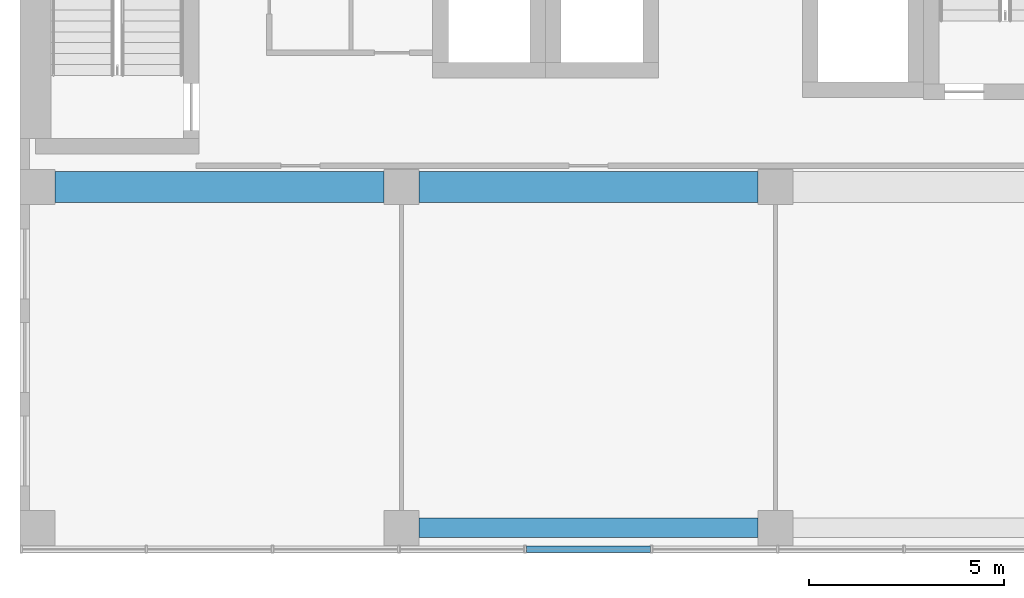
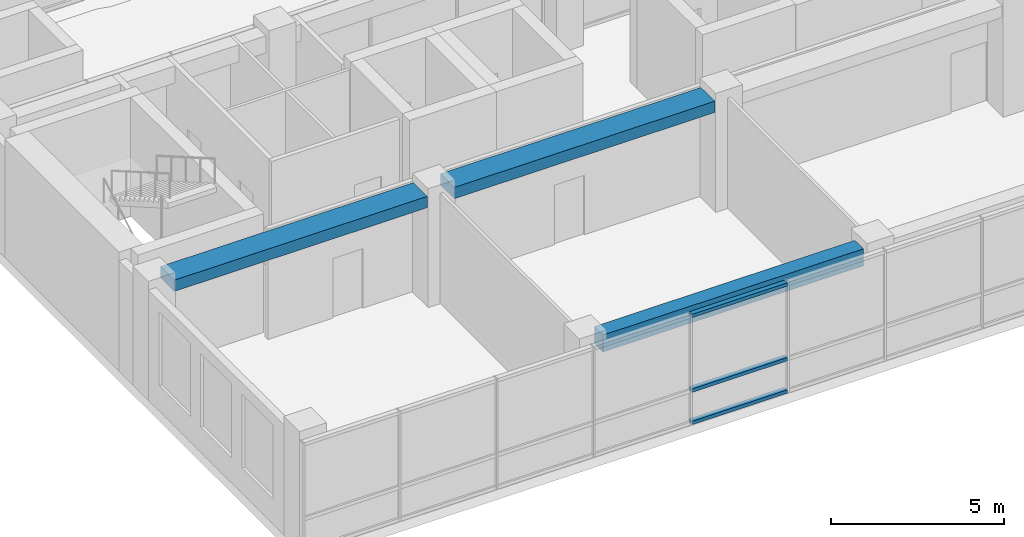
# One storey, part 3 of 72: 3 beams, 3 members, 1 element without a shape of its own.
"""IFC4 building model written with IfcOpenShell, lengths in metres."""

from ifc_helpers import new_model, si_unit, direction, frame, origin, origin_2d, place, context, subcontext, project, spatial, rectangle, hollow_rectangle, extrude, material, layer, layer_set, material_profile, profile_set, type_object, element, aggregate, save


model = new_model("IFC4")

# Units and contexts
model_context = context("Model", 3, precision=1e-05, world=origin(), true_north=direction((0.0, 1.0)))
body_context = subcontext(model_context, "Body", "Model", "MODEL_VIEW")
ifc_project = project(units=[si_unit("LENGTHUNIT", "METRE"), si_unit("AREAUNIT", "SQUARE_METRE"), si_unit("VOLUMEUNIT", "CUBIC_METRE"), si_unit("PLANEANGLEUNIT", "RADIAN"), si_unit("MASSUNIT", "GRAM", prefix="KILO")], contexts=[model_context])

# Site, building, storey
site_placement = place(None, origin())
site = spatial("IfcSite", under=ifc_project, at=site_placement, CompositionType="ELEMENT")
building_placement = place(site_placement, origin())
building = spatial("IfcBuilding", under=site, at=building_placement, Name="Nzadi Deep Aquarium and Research Tower", CompositionType="ELEMENT")
storey_placement = place(building_placement, frame((0.0, 0.0, 31.89990234375)))
storey = spatial("IfcBuildingStorey", under=building, at=storey_placement, Name="L05", CompositionType="ELEMENT", Elevation=31.89990234375)

# Beams
ifc_material_1 = material(Name="Concrete C35/45", Category="concrete")
ifc_material_profile_1 = material_profile(ifc_material_1, rectangle(XDim=0.5, YDim=0.60009765625, at=origin_2d()))
ifc_profile_set_1 = profile_set([ifc_material_profile_1], Name="Concrete C35/45")
beam_type_1 = type_object("IfcBeamType", Name="RC 500x600", PredefinedType="BEAM", material=ifc_profile_set_1)
beam_1_placement = place(storey_placement, frame((10.050048828125, 0.449951171875, 3.60009765625), z_axis=(1.0, 0.0, 0.0), x_axis=(0.0, 1.0, 0.0)))
element("IfcBeam", 1, at=beam_1_placement, inside=storey, type_object=beam_type_1, Name="B-Z1-L05-L1-2", PredefinedType="BEAM", context=body_context, shape_type="SweptSolid", body=[
    extrude(rectangle(XDim=0.5, YDim=0.60009765625, at=origin_2d()), origin(), (0.0, 0.0, 1.0), 8.699951171875),
])
ifc_material_2 = material(Name="Concrete C35/45", Category="concrete")
ifc_material_profile_2 = material_profile(ifc_material_2, rectangle(XDim=0.800048828125, YDim=0.39990234375, at=origin_2d()))
ifc_profile_set_2 = profile_set([ifc_material_profile_2], Name="Concrete C35/45")
beam_type_2 = type_object("IfcBeamType", Name="RC 800x400", PredefinedType="BEAM", material=ifc_profile_set_2)
beam_2_placement = place(storey_placement, frame((0.699951171875, 9.199951171875, 3.7001953125), z_axis=(1.0, 0.0, 0.0), x_axis=(0.0, 1.0, 0.0)))
element("IfcBeam", 2, at=beam_2_placement, inside=storey, type_object=beam_type_2, Name="B-Z1-L05-L2-1", PredefinedType="BEAM", context=body_context, shape_type="SweptSolid", body=[
    extrude(rectangle(XDim=0.800048828125, YDim=0.39990234375, at=origin_2d()), origin(), (0.0, 0.0, 1.0), 8.449951171875),
])
beam_3_placement = place(storey_placement, frame((10.050048828125, 9.199951171875, 3.7001953125), z_axis=(1.0, 0.0, 0.0), x_axis=(0.0, 1.0, 0.0)))
element("IfcBeam", 3, at=beam_3_placement, inside=storey, type_object=beam_type_2, Name="B-Z1-L05-L2-2", PredefinedType="BEAM", context=body_context, shape_type="SweptSolid", body=[
    extrude(rectangle(XDim=0.800048828125, YDim=0.39990234375, at=origin_2d()), origin(), (0.0, 0.0, 1.0), 8.699951171875),
])

# Curtain wall, members
ifc_material_3 = material(Name="Aluminium unitised frame", Category="aluminium")
ifc_layer = layer(ifc_material_3, 0.199951171875)
ifc_layer_set = layer_set([ifc_layer], Name="Aluminium unitised frame")
curtain_wall_type = type_object("IfcCurtainWallType", Name="Curtain wall Unitised 200", PredefinedType="NOTDEFINED", material=ifc_layer_set)
curtain_wall_placement = place(storey_placement, origin())
curtain_wall = element("IfcCurtainWall", 4, at=curtain_wall_placement, inside=storey, type_object=curtain_wall_type, Name="Unitised curtain wall blade A south L05", PredefinedType="NOTDEFINED")
ifc_material_4 = material(Name="Aluminium unitised frame", Category="aluminium")
ifc_material_profile_3 = material_profile(ifc_material_4, hollow_rectangle(XDim=0.159912109375, YDim=0.1201171875, WallThickness=0.0048828125, at=origin_2d()))
ifc_profile_set_3 = profile_set([ifc_material_profile_3], Name="Aluminium unitised frame")
member_type = type_object("IfcMemberType", Name="Transom 120x160 Unitised", PredefinedType="MULLION", material=ifc_profile_set_3)
member_1_placement = place(storey_placement, frame((12.80322265625, -0.10009765625, 0.06005859375), z_axis=(1.0, 0.0, 0.0), x_axis=(0.0, 1.0, 0.0)))
member_1 = element("IfcMember", 5, at=member_1_placement, type_object=member_type, Name="CW001 transom 5.1", PredefinedType="MULLION", context=body_context, shape_type="SweptSolid", body=[
    extrude(hollow_rectangle(XDim=0.159912109375, YDim=0.1201171875, WallThickness=0.0048828125, at=origin_2d()), origin(), (0.0, 0.0, 1.0), 3.183349609375),
])
member_2_placement = place(storey_placement, frame((12.80322265625, -0.10009765625, 1.2001953125), z_axis=(1.0, 0.0, 0.0), x_axis=(0.0, 1.0, 0.0)))
member_2 = element("IfcMember", 6, at=member_2_placement, type_object=member_type, Name="CW001 transom 5.2", PredefinedType="MULLION", context=body_context, shape_type="SweptSolid", body=[
    extrude(hollow_rectangle(XDim=0.159912109375, YDim=0.1201171875, WallThickness=0.0048828125, at=origin_2d()), origin(), (0.0, 0.0, 1.0), 3.183349609375),
])
member_3_placement = place(storey_placement, frame((12.80322265625, -0.10009765625, 3.840087890625), z_axis=(1.0, 0.0, 0.0), x_axis=(0.0, 1.0, 0.0)))
member_3 = element("IfcMember", 7, at=member_3_placement, type_object=member_type, Name="CW001 transom 5.3", PredefinedType="MULLION", context=body_context, shape_type="SweptSolid", body=[
    extrude(hollow_rectangle(XDim=0.159912109375, YDim=0.1201171875, WallThickness=0.0048828125, at=origin_2d()), origin(), (0.0, 0.0, 1.0), 3.183349609375),
])
aggregate(curtain_wall, [member_1, member_2, member_3])

save(model, "model.ifc")
